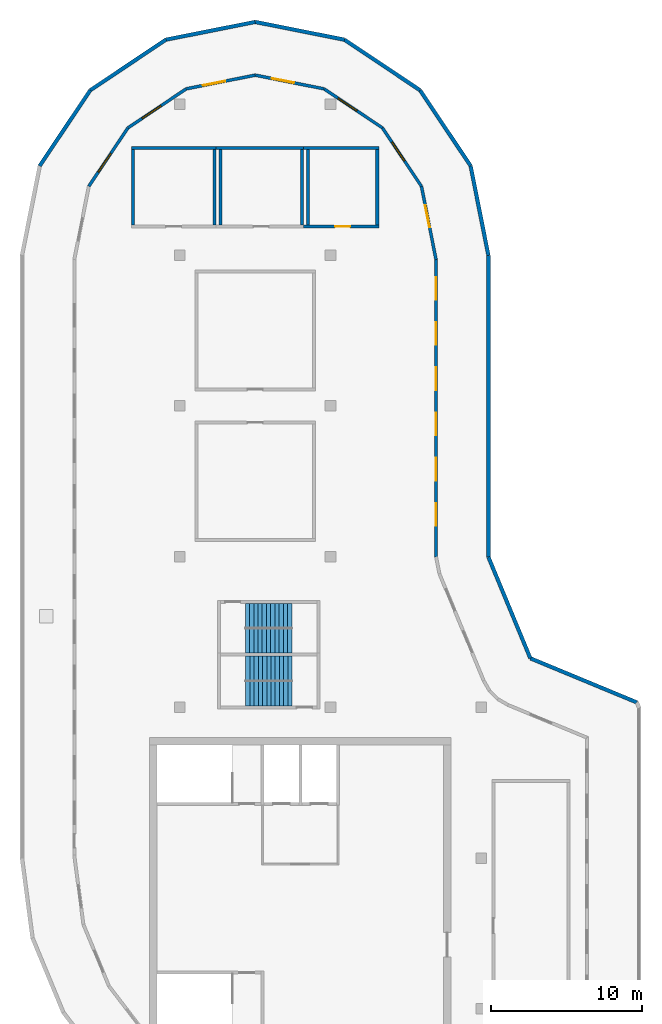
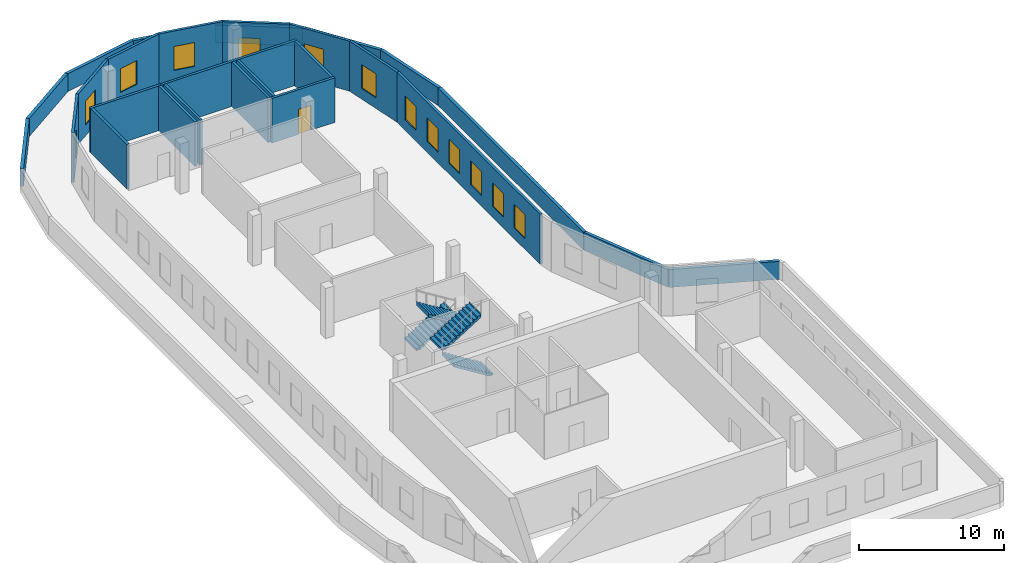
# One storey, part 4 of 6: 28 walls, 13 windows, 4 stair flights, 1 door, 14 openings, 2 elements without a shape of their own.
"""IFC4 building model written with IfcOpenShell, lengths in metres."""

from ifc_helpers import new_model, si_unit, direction, frame, frame_2d, origin, place, context, subcontext, project, spatial, polyline, rectangle, outline, extrude, material, layer, layer_set, type_object, element, fill, aggregate, save


model = new_model("IFC4")

# Units and contexts
model_context = context("Model", 3, precision=1e-05, world=origin(), true_north=direction((0.0, 1.0)))
body_context = subcontext(model_context, "Body", "Model", "MODEL_VIEW")
ifc_project = project(units=[si_unit("LENGTHUNIT", "METRE"), si_unit("AREAUNIT", "SQUARE_METRE"), si_unit("VOLUMEUNIT", "CUBIC_METRE"), si_unit("PLANEANGLEUNIT", "RADIAN"), si_unit("MASSUNIT", "GRAM", prefix="KILO")], contexts=[model_context])

# Site, building, storey
site_placement = place(None, origin())
site = spatial("IfcSite", under=ifc_project, at=site_placement, CompositionType="ELEMENT")
building_placement = place(site_placement, origin())
building = spatial("IfcBuilding", under=site, at=building_placement, Name="Qaws Garden Tower", CompositionType="ELEMENT")
storey_placement = place(building_placement, frame((0.0, 0.0, 365.39990234375)))
storey = spatial("IfcBuildingStorey", under=building, at=storey_placement, Name="C1", CompositionType="ELEMENT", Elevation=365.39990234375)

# Walls
ifc_material_1 = material(Name="Brick masonry", Category="masonry")
ifc_layer_1 = layer(ifc_material_1, 0.25)
ifc_layer_set_1 = layer_set([ifc_layer_1], Name="Brick masonry")
wall_type_1 = type_object("IfcWallType", Name="Parapet 250", PredefinedType="PARAPET", material=ifc_layer_set_1)
for number, where, z_axis, x_axis, name in (
    (1, (0.705078125, 65.921142578125, 0.0), (0.0, 0.0, 1.0), (0.555605101692, 0.831446312743, 0.0), "Maintenance terrace parapet C1"),
    (2, (4.059326171875, 70.940673828125, 0.0), (0.0, 0.0, 1.0), (0.831446312743, 0.555605101692, 0.0), "Maintenance terrace parapet C1"),
    (3, (9.078857421875, 74.294921875, 0.0), (0.0, 0.0, 1.0), (0.980786995424, 0.195081699828, 0.0), "Maintenance terrace parapet C1"),
    (4, (15.0, 75.47265625, 0.0), (0.0, 0.0, 1.0), (0.980786995424, -0.195081699828, 0.0), "Maintenance terrace parapet C1"),
    (5, (20.921142578125, 74.294921875, 0.0), (0.0, 0.0, 1.0), (0.831446312743, -0.555605101692, 0.0), "Maintenance terrace parapet C1"),
    (6, (25.940673828125, 70.940673828125, 0.0), (0.0, 0.0, 1.0), (0.555605101692, -0.831446312743, 0.0), "Maintenance terrace parapet C1"),
):
    element("IfcWall", number, at=place(storey_placement, frame(where, z_axis=z_axis, x_axis=x_axis)), inside=storey, type_object=wall_type_1, Name=name, PredefinedType="PARAPET", context=body_context, shape_type="SweptSolid", body=[
        extrude(rectangle(XDim=6.037109375, YDim=0.25, at=frame_2d((3.0185546875, 0.0))), origin(), (0.0, 0.0, 1.0), 1.5),
    ])
wall_1_placement = place(storey_placement, frame((29.294921875, 65.921142578125, 0.0), z_axis=(0.0, 0.0, 1.0), x_axis=(0.195083828703, -0.980786571981, 0.0)))
element("IfcWall", 7, at=wall_1_placement, inside=storey, type_object=wall_type_1, Name="Maintenance terrace parapet C1", PredefinedType="PARAPET", context=body_context, shape_type="SweptSolid", body=[
    extrude(rectangle(XDim=6.049560546875, YDim=0.25, at=frame_2d((3.02490234375, 0.0))), origin(), (0.0, 0.0, 1.0), 1.5),
])
wall_2_placement = place(storey_placement, frame((30.47509765625, 59.98779296875, 0.0), z_axis=(0.0, 0.0, 1.0), x_axis=(0.0, -1.0, 0.0)))
element("IfcWall", 8, at=wall_2_placement, inside=storey, type_object=wall_type_1, Name="Maintenance terrace parapet C1", PredefinedType="PARAPET", context=body_context, shape_type="SweptSolid", body=[
    extrude(rectangle(XDim=20.0126953125, YDim=0.25, at=frame_2d((10.00634765625, 0.0))), origin(), (0.0, 0.0, 1.0), 1.5),
])
wall_3_placement = place(storey_placement, frame((30.47509765625, 39.97509765625, 0.0), z_axis=(0.0, 0.0, 1.0), x_axis=(0.382680962764, -0.92388055545, 0.0)))
element("IfcWall", 9, at=wall_3_placement, inside=storey, type_object=wall_type_1, Name="Maintenance terrace parapet C1", PredefinedType="PARAPET", context=body_context, shape_type="SweptSolid", body=[
    extrude(rectangle(XDim=7.27099609375, YDim=0.25, at=frame_2d((3.635498046875, 0.0))), origin(), (0.0, 0.0, 1.0), 1.5),
])
wall_4_placement = place(storey_placement, frame((33.257568359375, 33.257568359375, 0.0), z_axis=(0.0, 0.0, 1.0), x_axis=(0.923878037141, -0.382687042488, 0.0)))
element("IfcWall", 10, at=wall_4_placement, inside=storey, type_object=wall_type_1, Name="Maintenance terrace parapet C1", PredefinedType="PARAPET", context=body_context, shape_type="SweptSolid", body=[
    extrude(rectangle(XDim=7.653564453125, YDim=0.25, at=frame_2d((3.82666015625, 0.0))), origin(), (0.0, 0.0, 1.0), 1.5),
])
ifc_material_2 = material(Name="Blockwork", Category="masonry")
ifc_layer_2 = layer(ifc_material_2, 0.199951171875)
ifc_layer_set_2 = layer_set([ifc_layer_2], Name="Blockwork")
wall_type_2 = type_object("IfcWallType", Name="Plant room wall 200", PredefinedType="PARTITIONING", material=ifc_layer_set_2)
wall_5_placement = place(storey_placement, frame((6.800048828125, 67.10009765625, 0.0), z_axis=(0.0, 0.0, 1.0), x_axis=(1.0, 0.0, 0.0)))
element("IfcWall", 11, at=wall_5_placement, inside=storey, type_object=wall_type_2, Name="Chiller plant room wall", PredefinedType="PARTITIONING", context=body_context, shape_type="SweptSolid", body=[
    extrude(rectangle(XDim=5.599853515625, YDim=0.199951171875, at=frame_2d((2.7998046875, 0.0))), origin(), (0.0, 0.0, 1.0), 3.75),
])
for number, where, z_axis, x_axis, name in (
    (12, (6.89990234375, 62.0, 0.0), (0.0, 0.0, 1.0), (0.0, 1.0, 0.0), "Chiller plant room wall"),
    (13, (12.300048828125, 62.0, 0.0), (0.0, 0.0, 1.0), (0.0, 1.0, 0.0), "Chiller plant room wall"),
):
    element("IfcWall", number, at=place(storey_placement, frame(where, z_axis=z_axis, x_axis=x_axis)), inside=storey, type_object=wall_type_2, Name=name, PredefinedType="PARTITIONING", context=body_context, shape_type="SweptSolid", body=[
        extrude(rectangle(XDim=5.0, YDim=0.199951171875, at=frame_2d((2.5, 0.0))), origin(), (0.0, 0.0, 1.0), 3.75),
    ])
wall_6_placement = place(storey_placement, frame((12.39990234375, 67.10009765625, 0.0), z_axis=(0.0, 0.0, 1.0), x_axis=(1.0, 0.0, 0.0)))
element("IfcWall", 14, at=wall_6_placement, inside=storey, type_object=wall_type_2, Name="Air handling plant room wall", PredefinedType="PARTITIONING", context=body_context, shape_type="SweptSolid", body=[
    extrude(rectangle(XDim=5.800048828125, YDim=0.199951171875, at=frame_2d((2.89990234375, 0.0))), origin(), (0.0, 0.0, 1.0), 3.75),
])
for number, where, z_axis, x_axis, name in (
    (15, (12.699951171875, 62.0, 0.0), (0.0, 0.0, 1.0), (0.0, 1.0, 0.0), "Air handling plant room wall"),
    (16, (18.10009765625, 62.0, 0.0), (0.0, 0.0, 1.0), (0.0, 1.0, 0.0), "Air handling plant room wall"),
):
    element("IfcWall", number, at=place(storey_placement, frame(where, z_axis=z_axis, x_axis=x_axis)), inside=storey, type_object=wall_type_2, Name=name, PredefinedType="PARTITIONING", context=body_context, shape_type="SweptSolid", body=[
        extrude(rectangle(XDim=5.0, YDim=0.199951171875, at=frame_2d((2.5, 0.0))), origin(), (0.0, 0.0, 1.0), 3.75),
    ])

# Wall, opening, door
wall_7_placement = place(storey_placement, frame((18.199951171875, 61.89990234375, 0.0), z_axis=(0.0, 0.0, 1.0), x_axis=(1.0, 0.0, 0.0)))
wall_7 = element("IfcWall", 17, at=wall_7_placement, inside=storey, type_object=wall_type_2, Name="Mechanical plant room wall", PredefinedType="PARTITIONING", context=body_context, shape_type="SweptSolid", body=[
    extrude(rectangle(XDim=5.0, YDim=0.199951171875, at=frame_2d((2.5, 0.0))), origin(), (0.0, 0.0, 1.0), 3.75),
])
opening_1_placement = place(wall_7_placement, frame((2.10009765625, 0.0, 0.0)))
opening_1 = element("IfcOpeningElement", 18, at=opening_1_placement, cuts=wall_7, Name="Opening PD12-05", PredefinedType="OPENING", context=body_context, shape_type="SweptSolid", body=[
    extrude(rectangle(XDim=1.0, YDim=2.10009765625, at=frame_2d((0.5, 1.050048828125))), frame((0.0, 0.10986328125, 0.0), z_axis=(0.0, -1.0, 0.0), x_axis=(1.0, 0.0, 0.0)), (0.0, 0.0, 1.0), 0.219970703125),
])
ifc_material_3 = material(Name="Steel S235 framed door leaf", Category="steel")
door_type = type_object("IfcDoorType", Name="Door D12 fire single 1000", OperationType="SINGLE_SWING_LEFT", PredefinedType="DOOR", material=ifc_material_3)
door_placement = place(opening_1_placement, origin())
door = element("IfcDoor", 19, at=door_placement, inside=storey, type_object=door_type, Name="Mechanical plant room door", OperationType="SINGLE_SWING_RIGHT", OverallHeight=2.10009765625, OverallWidth=1.0, PredefinedType="DOOR", context=body_context, shape_type="SweptSolid", body=[
    extrude(rectangle(XDim=1.0, YDim=2.10009765625, at=frame_2d((0.5, 1.050048828125))), frame((0.0, 0.02490234375, 0.0), z_axis=(0.0, -1.0, 0.0), x_axis=(1.0, 0.0, 0.0)), (0.0, 0.0, 1.0), 0.050048828125),
])
fill(opening_1, door)

# Walls
for number, where, z_axis, x_axis, name in (
    (20, (18.199951171875, 67.10009765625, 0.0), (0.0, 0.0, 1.0), (1.0, 0.0, 0.0), "Mechanical plant room wall"),
    (21, (18.5, 62.0, 0.0), (0.0, 0.0, 1.0), (0.0, 1.0, 0.0), "Mechanical plant room wall"),
    (22, (23.10009765625, 62.0, 0.0), (0.0, 0.0, 1.0), (0.0, 1.0, 0.0), "Mechanical plant room wall"),
):
    element("IfcWall", number, at=place(storey_placement, frame(where, z_axis=z_axis, x_axis=x_axis)), inside=storey, type_object=wall_type_2, Name=name, PredefinedType="PARTITIONING", context=body_context, shape_type="SweptSolid", body=[
        extrude(rectangle(XDim=5.0, YDim=0.199951171875, at=frame_2d((2.5, 0.0))), origin(), (0.0, 0.0, 1.0), 3.75),
    ])

# Wall, opening, window
ifc_material_4 = material(Name="Brick masonry", Category="masonry")
ifc_layer_3 = layer(ifc_material_4, 0.199951171875)
ifc_layer_set_3 = layer_set([ifc_layer_3], Name="Brick masonry")
wall_type_3 = type_object("IfcWallType", Name="Plant screen louvre 200", PredefinedType="STANDARD", material=ifc_layer_set_3)
wall_8_placement = place(storey_placement, frame((3.9677734375, 64.569580078125, 0.0), z_axis=(0.0, 0.0, 1.0), x_axis=(0.555582599334, 0.831461349262, 0.0)))
wall_8 = element("IfcWall", 23, at=wall_8_placement, inside=storey, type_object=wall_type_3, Name="Plant screen wall C1 9", PredefinedType="STANDARD", context=body_context, shape_type="SweptSolid", body=[
    extrude(rectangle(XDim=4.6591796875, YDim=0.199951171875, at=frame_2d((2.32958984375, 0.0))), origin(), (0.0, 0.0, 1.0), 4.2001953125),
])
opening_2_placement = place(wall_8_placement, frame((1.129638671875, 0.0, 0.89990234375)))
opening_2 = element("IfcOpeningElement", 24, at=opening_2_placement, cuts=wall_8, Name="Opening PW-S4", PredefinedType="OPENING", context=body_context, shape_type="SweptSolid", body=[
    extrude(rectangle(XDim=1.5, YDim=2.0, at=frame_2d((0.75, 1.0))), frame((0.0, 0.10986328125, 0.0), z_axis=(0.0, -1.0, 0.0), x_axis=(1.0, 0.0, 0.0)), (0.0, 0.0, 1.0), 0.219970703125),
])
ifc_material_5 = material(Name="Aluminium louvre", Category="aluminium")
window_type = type_object("IfcWindowType", Name="Plant louvre 1500", PartitioningType="SINGLE_PANEL", PredefinedType="WINDOW", material=ifc_material_5)
window_1_placement = place(opening_2_placement, origin())
window_1 = element("IfcWindow", 25, at=window_1_placement, inside=storey, type_object=window_type, Name="Plant louvre", OverallHeight=2.0, OverallWidth=1.5, PartitioningType="SINGLE_PANEL", PredefinedType="WINDOW", context=body_context, shape_type="SweptSolid", body=[
    extrude(rectangle(XDim=1.5, YDim=2.0, at=frame_2d((0.75, 1.0))), frame((0.0, 0.030029296875, 0.0), z_axis=(0.0, -1.0, 0.0), x_axis=(1.0, 0.0, 0.0)), (0.0, 0.0, 1.0), 0.06005859375),
])
fill(opening_2, window_1)

wall_9_placement = place(storey_placement, frame((6.556396484375, 68.443603515625, 0.0), z_axis=(0.0, 0.0, 1.0), x_axis=(0.831461349262, 0.555582599334, 0.0)))
wall_9 = element("IfcWall", 26, at=wall_9_placement, inside=storey, type_object=wall_type_3, Name="Plant screen wall C1 10", PredefinedType="STANDARD", context=body_context, shape_type="SweptSolid", body=[
    extrude(rectangle(XDim=4.6591796875, YDim=0.199951171875, at=frame_2d((2.32958984375, 0.0))), origin(), (0.0, 0.0, 1.0), 4.2001953125),
])
opening_3_placement = place(wall_9_placement, frame((1.129638671875, 0.0, 0.89990234375)))
opening_3 = element("IfcOpeningElement", 27, at=opening_3_placement, cuts=wall_9, Name="Opening PW-S4", PredefinedType="OPENING", context=body_context, shape_type="SweptSolid", body=[
    extrude(rectangle(XDim=1.5, YDim=2.0, at=frame_2d((0.75, 1.0))), frame((0.0, 0.10986328125, 0.0), z_axis=(0.0, -1.0, 0.0), x_axis=(1.0, 0.0, 0.0)), (0.0, 0.0, 1.0), 0.219970703125),
])
window_2_placement = place(opening_3_placement, origin())
window_2 = element("IfcWindow", 28, at=window_2_placement, inside=storey, type_object=window_type, Name="Plant louvre", OverallHeight=2.0, OverallWidth=1.5, PartitioningType="SINGLE_PANEL", PredefinedType="WINDOW", context=body_context, shape_type="SweptSolid", body=[
    extrude(rectangle(XDim=1.5, YDim=2.0, at=frame_2d((0.75, 1.0))), frame((0.0, 0.030029296875, 0.0), z_axis=(0.0, -1.0, 0.0), x_axis=(1.0, 0.0, 0.0)), (0.0, 0.0, 1.0), 0.06005859375),
])
fill(opening_3, window_2)

wall_10_placement = place(storey_placement, frame((10.430419921875, 71.0322265625, 0.0), z_axis=(0.0, 0.0, 1.0), x_axis=(0.980785709335, 0.195088165617, 0.0)))
wall_10 = element("IfcWall", 29, at=wall_10_placement, inside=storey, type_object=wall_type_3, Name="Plant screen wall C1 11", PredefinedType="STANDARD", context=body_context, shape_type="SweptSolid", body=[
    extrude(rectangle(XDim=4.6591796875, YDim=0.199951171875, at=frame_2d((2.32958984375, 0.0))), origin(), (0.0, 0.0, 1.0), 4.2001953125),
])
opening_4_placement = place(wall_10_placement, frame((1.129638671875, 0.0, 0.89990234375)))
opening_4 = element("IfcOpeningElement", 30, at=opening_4_placement, cuts=wall_10, Name="Opening PW-S4", PredefinedType="OPENING", context=body_context, shape_type="SweptSolid", body=[
    extrude(rectangle(XDim=1.5, YDim=2.0, at=frame_2d((0.75, 1.0))), frame((0.0, 0.10986328125, 0.0), z_axis=(0.0, -1.0, 0.0), x_axis=(1.0, 0.0, 0.0)), (0.0, 0.0, 1.0), 0.219970703125),
])
window_3_placement = place(opening_4_placement, origin())
window_3 = element("IfcWindow", 31, at=window_3_placement, inside=storey, type_object=window_type, Name="Plant louvre", OverallHeight=2.0, OverallWidth=1.5, PartitioningType="SINGLE_PANEL", PredefinedType="WINDOW", context=body_context, shape_type="SweptSolid", body=[
    extrude(rectangle(XDim=1.5, YDim=2.0, at=frame_2d((0.75, 1.0))), frame((0.0, 0.030029296875, 0.0), z_axis=(0.0, -1.0, 0.0), x_axis=(1.0, 0.0, 0.0)), (0.0, 0.0, 1.0), 0.06005859375),
])
fill(opening_4, window_3)

wall_11_placement = place(storey_placement, frame((15.0, 71.941162109375, 0.0), z_axis=(0.0, 0.0, 1.0), x_axis=(0.980785709335, -0.195088165617, 0.0)))
wall_11 = element("IfcWall", 32, at=wall_11_placement, inside=storey, type_object=wall_type_3, Name="Plant screen wall C1 12", PredefinedType="STANDARD", context=body_context, shape_type="SweptSolid", body=[
    extrude(rectangle(XDim=4.6591796875, YDim=0.199951171875, at=frame_2d((2.32958984375, 0.0))), origin(), (0.0, 0.0, 1.0), 4.2001953125),
])
opening_5_placement = place(wall_11_placement, frame((1.129638671875, 0.0, 0.89990234375)))
opening_5 = element("IfcOpeningElement", 33, at=opening_5_placement, cuts=wall_11, Name="Opening PW-S4", PredefinedType="OPENING", context=body_context, shape_type="SweptSolid", body=[
    extrude(rectangle(XDim=1.5, YDim=2.0, at=frame_2d((0.75, 1.0))), frame((0.0, 0.10986328125, 0.0), z_axis=(0.0, -1.0, 0.0), x_axis=(1.0, 0.0, 0.0)), (0.0, 0.0, 1.0), 0.219970703125),
])
window_4_placement = place(opening_5_placement, origin())
window_4 = element("IfcWindow", 34, at=window_4_placement, inside=storey, type_object=window_type, Name="Plant louvre", OverallHeight=2.0, OverallWidth=1.5, PartitioningType="SINGLE_PANEL", PredefinedType="WINDOW", context=body_context, shape_type="SweptSolid", body=[
    extrude(rectangle(XDim=1.5, YDim=2.0, at=frame_2d((0.75, 1.0))), frame((0.0, 0.030029296875, 0.0), z_axis=(0.0, -1.0, 0.0), x_axis=(1.0, 0.0, 0.0)), (0.0, 0.0, 1.0), 0.06005859375),
])
fill(opening_5, window_4)

wall_12_placement = place(storey_placement, frame((19.569580078125, 71.0322265625, 0.0), z_axis=(0.0, 0.0, 1.0), x_axis=(0.831461349262, -0.555582599334, 0.0)))
wall_12 = element("IfcWall", 35, at=wall_12_placement, inside=storey, type_object=wall_type_3, Name="Plant screen wall C1 13", PredefinedType="STANDARD", context=body_context, shape_type="SweptSolid", body=[
    extrude(rectangle(XDim=4.6591796875, YDim=0.199951171875, at=frame_2d((2.32958984375, 0.0))), origin(), (0.0, 0.0, 1.0), 4.2001953125),
])
opening_6_placement = place(wall_12_placement, frame((1.129638671875, 0.0, 0.89990234375)))
opening_6 = element("IfcOpeningElement", 36, at=opening_6_placement, cuts=wall_12, Name="Opening PW-S4", PredefinedType="OPENING", context=body_context, shape_type="SweptSolid", body=[
    extrude(rectangle(XDim=1.5, YDim=2.0, at=frame_2d((0.75, 1.0))), frame((0.0, 0.10986328125, 0.0), z_axis=(0.0, -1.0, 0.0), x_axis=(1.0, 0.0, 0.0)), (0.0, 0.0, 1.0), 0.219970703125),
])
window_5_placement = place(opening_6_placement, origin())
window_5 = element("IfcWindow", 37, at=window_5_placement, inside=storey, type_object=window_type, Name="Plant louvre", OverallHeight=2.0, OverallWidth=1.5, PartitioningType="SINGLE_PANEL", PredefinedType="WINDOW", context=body_context, shape_type="SweptSolid", body=[
    extrude(rectangle(XDim=1.5, YDim=2.0, at=frame_2d((0.75, 1.0))), frame((0.0, 0.030029296875, 0.0), z_axis=(0.0, -1.0, 0.0), x_axis=(1.0, 0.0, 0.0)), (0.0, 0.0, 1.0), 0.06005859375),
])
fill(opening_6, window_5)

wall_13_placement = place(storey_placement, frame((23.443603515625, 68.443603515625, 0.0), z_axis=(0.0, 0.0, 1.0), x_axis=(0.555582599334, -0.831461349262, 0.0)))
wall_13 = element("IfcWall", 38, at=wall_13_placement, inside=storey, type_object=wall_type_3, Name="Plant screen wall C1 14", PredefinedType="STANDARD", context=body_context, shape_type="SweptSolid", body=[
    extrude(rectangle(XDim=4.6591796875, YDim=0.199951171875, at=frame_2d((2.32958984375, 0.0))), origin(), (0.0, 0.0, 1.0), 4.2001953125),
])
opening_7_placement = place(wall_13_placement, frame((1.129638671875, 0.0, 0.89990234375)))
opening_7 = element("IfcOpeningElement", 39, at=opening_7_placement, cuts=wall_13, Name="Opening PW-S4", PredefinedType="OPENING", context=body_context, shape_type="SweptSolid", body=[
    extrude(rectangle(XDim=1.5, YDim=2.0, at=frame_2d((0.75, 1.0))), frame((0.0, 0.10986328125, 0.0), z_axis=(0.0, -1.0, 0.0), x_axis=(1.0, 0.0, 0.0)), (0.0, 0.0, 1.0), 0.219970703125),
])
window_6_placement = place(opening_7_placement, origin())
window_6 = element("IfcWindow", 40, at=window_6_placement, inside=storey, type_object=window_type, Name="Plant louvre", OverallHeight=2.0, OverallWidth=1.5, PartitioningType="SINGLE_PANEL", PredefinedType="WINDOW", context=body_context, shape_type="SweptSolid", body=[
    extrude(rectangle(XDim=1.5, YDim=2.0, at=frame_2d((0.75, 1.0))), frame((0.0, 0.030029296875, 0.0), z_axis=(0.0, -1.0, 0.0), x_axis=(1.0, 0.0, 0.0)), (0.0, 0.0, 1.0), 0.06005859375),
])
fill(opening_7, window_6)

wall_14_placement = place(storey_placement, frame((26.0322265625, 64.569580078125, 0.0), z_axis=(0.0, 0.0, 1.0), x_axis=(0.195103259406, -0.980782706908, 0.0)))
wall_14 = element("IfcWall", 41, at=wall_14_placement, inside=storey, type_object=wall_type_3, Name="Plant screen wall C1 15", PredefinedType="STANDARD", context=body_context, shape_type="SweptSolid", body=[
    extrude(rectangle(XDim=4.960205078125, YDim=0.199951171875, at=frame_2d((2.47998046875, 0.0))), origin(), (0.0, 0.0, 1.0), 4.2001953125),
])
opening_8_placement = place(wall_14_placement, frame((1.2802734375, 0.0, 0.89990234375)))
opening_8 = element("IfcOpeningElement", 42, at=opening_8_placement, cuts=wall_14, Name="Opening PW-S4", PredefinedType="OPENING", context=body_context, shape_type="SweptSolid", body=[
    extrude(rectangle(XDim=1.5, YDim=2.0, at=frame_2d((0.75, 1.0))), frame((0.0, 0.10986328125, 0.0), z_axis=(0.0, -1.0, 0.0), x_axis=(1.0, 0.0, 0.0)), (0.0, 0.0, 1.0), 0.219970703125),
])
window_7_placement = place(opening_8_placement, origin())
window_7 = element("IfcWindow", 43, at=window_7_placement, inside=storey, type_object=window_type, Name="Plant louvre", OverallHeight=2.0, OverallWidth=1.5, PartitioningType="SINGLE_PANEL", PredefinedType="WINDOW", context=body_context, shape_type="SweptSolid", body=[
    extrude(rectangle(XDim=1.5, YDim=2.0, at=frame_2d((0.75, 1.0))), frame((0.0, 0.030029296875, 0.0), z_axis=(0.0, -1.0, 0.0), x_axis=(1.0, 0.0, 0.0)), (0.0, 0.0, 1.0), 0.06005859375),
])
fill(opening_8, window_7)

# Wall, openings, windows
wall_15_placement = place(storey_placement, frame((27.0, 59.70458984375, 0.0), z_axis=(0.0, 0.0, 1.0), x_axis=(0.0, -1.0, 0.0)))
wall_15 = element("IfcWall", 44, at=wall_15_placement, inside=storey, type_object=wall_type_3, Name="Plant screen wall C1 16", PredefinedType="STANDARD", context=body_context, shape_type="SweptSolid", body=[
    extrude(rectangle(XDim=19.71435546875, YDim=0.199951171875, at=frame_2d((9.857177734375, 0.0))), origin(), (0.0, 0.0, 1.0), 4.2001953125),
])
opening_9_placement = place(wall_15_placement, frame((1.1572265625, 0.0, 0.89990234375)))
opening_9 = element("IfcOpeningElement", 45, at=opening_9_placement, cuts=wall_15, Name="Opening PW-S4", PredefinedType="OPENING", context=body_context, shape_type="SweptSolid", body=[
    extrude(rectangle(XDim=1.5, YDim=2.0, at=frame_2d((0.75, 1.0))), frame((0.0, 0.10986328125, 0.0), z_axis=(0.0, -1.0, 0.0), x_axis=(1.0, 0.0, 0.0)), (0.0, 0.0, 1.0), 0.219970703125),
])
opening_10_placement = place(wall_15_placement, frame((4.1572265625, 0.0, 0.89990234375)))
opening_10 = element("IfcOpeningElement", 46, at=opening_10_placement, cuts=wall_15, Name="Opening PW-S4", PredefinedType="OPENING", context=body_context, shape_type="SweptSolid", body=[
    extrude(rectangle(XDim=1.5, YDim=2.0, at=frame_2d((0.75, 1.0))), frame((0.0, 0.10986328125, 0.0), z_axis=(0.0, -1.0, 0.0), x_axis=(1.0, 0.0, 0.0)), (0.0, 0.0, 1.0), 0.219970703125),
])
opening_11_placement = place(wall_15_placement, frame((7.1572265625, 0.0, 0.89990234375)))
opening_11 = element("IfcOpeningElement", 47, at=opening_11_placement, cuts=wall_15, Name="Opening PW-S4", PredefinedType="OPENING", context=body_context, shape_type="SweptSolid", body=[
    extrude(rectangle(XDim=1.5, YDim=2.0, at=frame_2d((0.75, 1.0))), frame((0.0, 0.10986328125, 0.0), z_axis=(0.0, -1.0, 0.0), x_axis=(1.0, 0.0, 0.0)), (0.0, 0.0, 1.0), 0.219970703125),
])
opening_12_placement = place(wall_15_placement, frame((10.1572265625, 0.0, 0.89990234375)))
opening_12 = element("IfcOpeningElement", 48, at=opening_12_placement, cuts=wall_15, Name="Opening PW-S4", PredefinedType="OPENING", context=body_context, shape_type="SweptSolid", body=[
    extrude(rectangle(XDim=1.5, YDim=2.0, at=frame_2d((0.75, 1.0))), frame((0.0, 0.10986328125, 0.0), z_axis=(0.0, -1.0, 0.0), x_axis=(1.0, 0.0, 0.0)), (0.0, 0.0, 1.0), 0.219970703125),
])
opening_13_placement = place(wall_15_placement, frame((13.1572265625, 0.0, 0.89990234375)))
opening_13 = element("IfcOpeningElement", 49, at=opening_13_placement, cuts=wall_15, Name="Opening PW-S4", PredefinedType="OPENING", context=body_context, shape_type="SweptSolid", body=[
    extrude(rectangle(XDim=1.5, YDim=2.0, at=frame_2d((0.75, 1.0))), frame((0.0, 0.10986328125, 0.0), z_axis=(0.0, -1.0, 0.0), x_axis=(1.0, 0.0, 0.0)), (0.0, 0.0, 1.0), 0.219970703125),
])
opening_14_placement = place(wall_15_placement, frame((16.1572265625, 0.0, 0.89990234375)))
opening_14 = element("IfcOpeningElement", 50, at=opening_14_placement, cuts=wall_15, Name="Opening PW-S4", PredefinedType="OPENING", context=body_context, shape_type="SweptSolid", body=[
    extrude(rectangle(XDim=1.5, YDim=2.0, at=frame_2d((0.75, 1.0))), frame((0.0, 0.10986328125, 0.0), z_axis=(0.0, -1.0, 0.0), x_axis=(1.0, 0.0, 0.0)), (0.0, 0.0, 1.0), 0.219970703125),
])
window_8_placement = place(opening_9_placement, origin())
window_8 = element("IfcWindow", 51, at=window_8_placement, inside=storey, type_object=window_type, Name="Plant louvre", OverallHeight=2.0, OverallWidth=1.5, PartitioningType="SINGLE_PANEL", PredefinedType="WINDOW", context=body_context, shape_type="SweptSolid", body=[
    extrude(rectangle(XDim=1.5, YDim=2.0, at=frame_2d((0.75, 1.0))), frame((0.0, 0.030029296875, 0.0), z_axis=(0.0, -1.0, 0.0), x_axis=(1.0, 0.0, 0.0)), (0.0, 0.0, 1.0), 0.06005859375),
])
fill(opening_9, window_8)
window_9_placement = place(opening_10_placement, origin())
window_9 = element("IfcWindow", 52, at=window_9_placement, inside=storey, type_object=window_type, Name="Plant louvre", OverallHeight=2.0, OverallWidth=1.5, PartitioningType="SINGLE_PANEL", PredefinedType="WINDOW", context=body_context, shape_type="SweptSolid", body=[
    extrude(rectangle(XDim=1.5, YDim=2.0, at=frame_2d((0.75, 1.0))), frame((0.0, 0.030029296875, 0.0), z_axis=(0.0, -1.0, 0.0), x_axis=(1.0, 0.0, 0.0)), (0.0, 0.0, 1.0), 0.06005859375),
])
fill(opening_10, window_9)
window_10_placement = place(opening_11_placement, origin())
window_10 = element("IfcWindow", 53, at=window_10_placement, inside=storey, type_object=window_type, Name="Plant louvre", OverallHeight=2.0, OverallWidth=1.5, PartitioningType="SINGLE_PANEL", PredefinedType="WINDOW", context=body_context, shape_type="SweptSolid", body=[
    extrude(rectangle(XDim=1.5, YDim=2.0, at=frame_2d((0.75, 1.0))), frame((0.0, 0.030029296875, 0.0), z_axis=(0.0, -1.0, 0.0), x_axis=(1.0, 0.0, 0.0)), (0.0, 0.0, 1.0), 0.06005859375),
])
fill(opening_11, window_10)
window_11_placement = place(opening_12_placement, origin())
window_11 = element("IfcWindow", 54, at=window_11_placement, inside=storey, type_object=window_type, Name="Plant louvre", OverallHeight=2.0, OverallWidth=1.5, PartitioningType="SINGLE_PANEL", PredefinedType="WINDOW", context=body_context, shape_type="SweptSolid", body=[
    extrude(rectangle(XDim=1.5, YDim=2.0, at=frame_2d((0.75, 1.0))), frame((0.0, 0.030029296875, 0.0), z_axis=(0.0, -1.0, 0.0), x_axis=(1.0, 0.0, 0.0)), (0.0, 0.0, 1.0), 0.06005859375),
])
fill(opening_12, window_11)
window_12_placement = place(opening_13_placement, origin())
window_12 = element("IfcWindow", 55, at=window_12_placement, inside=storey, type_object=window_type, Name="Plant louvre", OverallHeight=2.0, OverallWidth=1.5, PartitioningType="SINGLE_PANEL", PredefinedType="WINDOW", context=body_context, shape_type="SweptSolid", body=[
    extrude(rectangle(XDim=1.5, YDim=2.0, at=frame_2d((0.75, 1.0))), frame((0.0, 0.030029296875, 0.0), z_axis=(0.0, -1.0, 0.0), x_axis=(1.0, 0.0, 0.0)), (0.0, 0.0, 1.0), 0.06005859375),
])
fill(opening_13, window_12)
window_13_placement = place(opening_14_placement, origin())
window_13 = element("IfcWindow", 56, at=window_13_placement, inside=storey, type_object=window_type, Name="Plant louvre", OverallHeight=2.0, OverallWidth=1.5, PartitioningType="SINGLE_PANEL", PredefinedType="WINDOW", context=body_context, shape_type="SweptSolid", body=[
    extrude(rectangle(XDim=1.5, YDim=2.0, at=frame_2d((0.75, 1.0))), frame((0.0, 0.030029296875, 0.0), z_axis=(0.0, -1.0, 0.0), x_axis=(1.0, 0.0, 0.0)), (0.0, 0.0, 1.0), 0.06005859375),
])
fill(opening_14, window_13)

# Stair, stair flights
ifc_material_6 = material(Name="Concrete C40", Category="concrete")
stair_type = type_object("IfcStairType", Name="Exit stair 1350", PredefinedType="HALF_TURN_STAIR", material=ifc_material_6)
placement = place(storey_placement, origin())
stair_1 = element("IfcStair", 57, at=placement, inside=storey, type_object=stair_type, Name="Stair 1", PredefinedType="HALF_TURN_STAIR")
ifc_material_7 = material(Name="Concrete C40", Category="concrete")
stair_flight_type = type_object("IfcStairFlightType", Name="Stair flight 1350", PredefinedType="STRAIGHT", material=ifc_material_7)
stair_flight_1_placement = place(storey_placement, frame((17.449951171875, 30.925048828125, 0.0), z_axis=(0.0, 0.0, 1.0), x_axis=(-1.0, 0.0, 0.0)))
stair_flight_1 = element("IfcStairFlight", 58, at=stair_flight_1_placement, type_object=stair_flight_type, Name="CS1 flight 1", NumberOfRisers=12, NumberOfTreads=11, PredefinedType="STRAIGHT", RiserHeight=0.175, TreadLength=0.28, context=body_context, shape_type="SweptSolid", body=[
    extrude(outline(polyline([(-0.0029296875, 0.0), (-0.0029296875, 0.175048828125), (0.0, 0.175048828125), (0.280029296875, 0.175048828125), (0.280029296875, 0.35009765625), (0.56005859375, 0.35009765625), (0.56005859375, 0.52490234375), (0.840087890625, 0.52490234375), (0.840087890625, 0.699951171875), (1.1201171875, 0.699951171875), (1.1201171875, 0.875), (1.39990234375, 0.875), (1.39990234375, 1.050048828125), (1.679931640625, 1.050048828125), (1.679931640625, 1.22509765625), (1.9599609375, 1.22509765625), (1.9599609375, 1.39990234375), (2.239990234375, 1.39990234375), (2.239990234375, 1.574951171875), (2.52001953125, 1.574951171875), (2.52001953125, 1.75), (2.800048828125, 1.75), (2.800048828125, 1.925048828125), (3.080078125, 1.925048828125), (3.080078125, 2.10009765625), (3.0830078125, 2.10009765625), (3.0830078125, 1.748291015625), (3.080078125, 1.748291015625), (0.28271484375, 0.0), (-0.0029296875, 0.0)])), frame((0.0, 0.81982421875, 0.0), z_axis=(0.0, -1.0, 0.0), x_axis=(1.0, 0.0, 0.0)), (0.0, 0.0, 1.0), 1.639892578125),
])
stair_flight_2_placement = place(storey_placement, frame((14.3701171875, 32.574951171875, 2.10009765625), z_axis=(0.0, 0.0, 1.0), x_axis=(1.0, 0.0, 0.0)))
stair_flight_2 = element("IfcStairFlight", 59, at=stair_flight_2_placement, type_object=stair_flight_type, Name="CS1 flight 2", NumberOfRisers=12, NumberOfTreads=11, PredefinedType="STRAIGHT", RiserHeight=0.175, TreadLength=0.28, context=body_context, shape_type="SweptSolid", body=[
    extrude(outline(polyline([(-0.0029296875, 0.0), (-0.0029296875, 0.175048828125), (0.0, 0.175048828125), (0.280029296875, 0.175048828125), (0.280029296875, 0.35009765625), (0.56005859375, 0.35009765625), (0.56005859375, 0.52490234375), (0.840087890625, 0.52490234375), (0.840087890625, 0.699951171875), (1.1201171875, 0.699951171875), (1.1201171875, 0.875), (1.39990234375, 0.875), (1.39990234375, 1.050048828125), (1.679931640625, 1.050048828125), (1.679931640625, 1.22509765625), (1.9599609375, 1.22509765625), (1.9599609375, 1.39990234375), (2.239990234375, 1.39990234375), (2.239990234375, 1.574951171875), (2.52001953125, 1.574951171875), (2.52001953125, 1.75), (2.800048828125, 1.75), (2.800048828125, 1.925048828125), (3.080078125, 1.925048828125), (3.080078125, 2.10009765625), (3.0830078125, 2.10009765625), (3.0830078125, 1.748291015625), (3.080078125, 1.748291015625), (0.28271484375, 0.0), (-0.0029296875, 0.0)])), frame((0.0, 0.81982421875, 0.0), z_axis=(0.0, -1.0, 0.0), x_axis=(1.0, 0.0, 0.0)), (0.0, 0.0, 1.0), 1.639892578125),
])
aggregate(stair_1, [stair_flight_1, stair_flight_2])

stair_2 = element("IfcStair", 60, at=placement, inside=storey, type_object=stair_type, Name="Stair 2", PredefinedType="HALF_TURN_STAIR")
stair_flight_3_placement = place(storey_placement, frame((14.35009765625, 36.074951171875, 0.0), z_axis=(0.0, 0.0, 1.0), x_axis=(1.0, 0.0, 0.0)))
stair_flight_3 = element("IfcStairFlight", 61, at=stair_flight_3_placement, type_object=stair_flight_type, Name="CS2 flight 1", NumberOfRisers=12, NumberOfTreads=11, PredefinedType="STRAIGHT", RiserHeight=0.175, TreadLength=0.28, context=body_context, shape_type="SweptSolid", body=[
    extrude(outline(polyline([(-0.0029296875, 0.0), (-0.0029296875, 0.175048828125), (0.0, 0.175048828125), (0.280029296875, 0.175048828125), (0.280029296875, 0.35009765625), (0.56005859375, 0.35009765625), (0.56005859375, 0.52490234375), (0.840087890625, 0.52490234375), (0.840087890625, 0.699951171875), (1.1201171875, 0.699951171875), (1.1201171875, 0.875), (1.39990234375, 0.875), (1.39990234375, 1.050048828125), (1.679931640625, 1.050048828125), (1.679931640625, 1.22509765625), (1.9599609375, 1.22509765625), (1.9599609375, 1.39990234375), (2.239990234375, 1.39990234375), (2.239990234375, 1.574951171875), (2.52001953125, 1.574951171875), (2.52001953125, 1.75), (2.800048828125, 1.75), (2.800048828125, 1.925048828125), (3.080078125, 1.925048828125), (3.080078125, 2.10009765625), (3.0830078125, 2.10009765625), (3.0830078125, 1.748291015625), (3.080078125, 1.748291015625), (0.28271484375, 0.0), (-0.0029296875, 0.0)])), frame((0.0, 0.81982421875, 0.0), z_axis=(0.0, -1.0, 0.0), x_axis=(1.0, 0.0, 0.0)), (0.0, 0.0, 1.0), 1.639892578125),
])
stair_flight_4_placement = place(storey_placement, frame((17.429931640625, 34.425048828125, 2.10009765625), z_axis=(0.0, 0.0, 1.0), x_axis=(-1.0, 0.0, 0.0)))
stair_flight_4 = element("IfcStairFlight", 62, at=stair_flight_4_placement, type_object=stair_flight_type, Name="CS2 flight 2", NumberOfRisers=12, NumberOfTreads=11, PredefinedType="STRAIGHT", RiserHeight=0.175, TreadLength=0.28, context=body_context, shape_type="SweptSolid", body=[
    extrude(outline(polyline([(-0.0029296875, 0.0), (-0.0029296875, 0.175048828125), (0.0, 0.175048828125), (0.280029296875, 0.175048828125), (0.280029296875, 0.35009765625), (0.56005859375, 0.35009765625), (0.56005859375, 0.52490234375), (0.840087890625, 0.52490234375), (0.840087890625, 0.699951171875), (1.1201171875, 0.699951171875), (1.1201171875, 0.875), (1.39990234375, 0.875), (1.39990234375, 1.050048828125), (1.679931640625, 1.050048828125), (1.679931640625, 1.22509765625), (1.9599609375, 1.22509765625), (1.9599609375, 1.39990234375), (2.239990234375, 1.39990234375), (2.239990234375, 1.574951171875), (2.52001953125, 1.574951171875), (2.52001953125, 1.75), (2.800048828125, 1.75), (2.800048828125, 1.925048828125), (3.080078125, 1.925048828125), (3.080078125, 2.10009765625), (3.0830078125, 2.10009765625), (3.0830078125, 1.748291015625), (3.080078125, 1.748291015625), (0.28271484375, 0.0), (-0.0029296875, 0.0)])), frame((0.0, 0.81982421875, 0.0), z_axis=(0.0, -1.0, 0.0), x_axis=(1.0, 0.0, 0.0)), (0.0, 0.0, 1.0), 1.639892578125),
])
aggregate(stair_2, [stair_flight_3, stair_flight_4])

save(model, "model.ifc")
